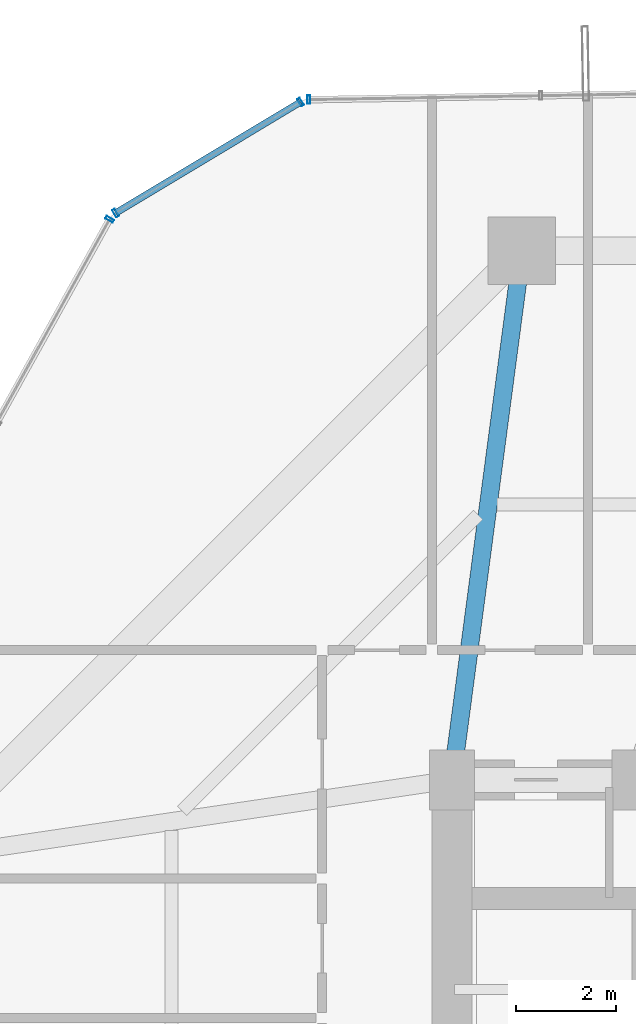
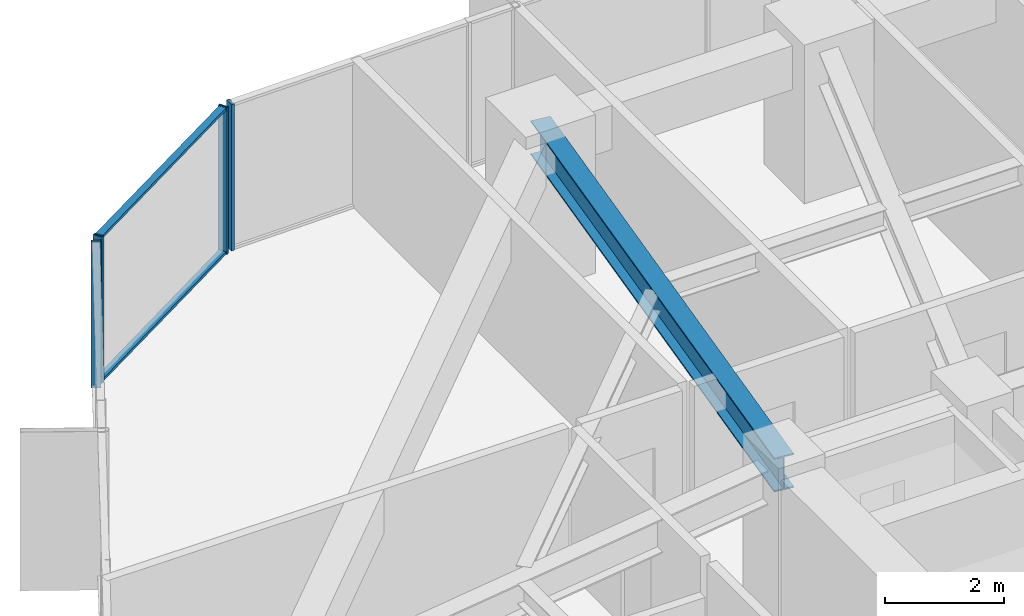
# One storey, part 25 of 39: 6 members, 1 beam, 3 elements without a shape of their own.
"""IFC4 building model written with IfcOpenShell, lengths in metres."""

import ifcopenshell
import ifcopenshell.guid

model = None  # the IFC model being written
_history = None  # IfcOwnerHistory: only IFC2X3 demands one
_inside = {}  # id of a spatial element -> (the spatial element, [elements in it])
_under = {}  # id of a project, library or spatial element -> (it, [spatial elements below it])
_declared = {}  # id of a project -> (the project, [libraries it declares])
_typed = {}  # id of a type object -> (the type object, [elements of that type])
_made_of = {}  # id of a material, layer set ... -> (it, [elements and type objects made of it])


def new_model(schema):
    """Start an empty IFC model of exactly this schema.

    Asked for "IFC4X3", IfcOpenShell would pick the latest addendum, in which some entities
    have other attributes; the version numbers below select the first issue.
    IFC2X3 requires an IfcOwnerHistory on every rooted entity: one is made here for all.
    """
    global model, _history
    if schema == "IFC4X3":
        model = ifcopenshell.file(schema_version=(4, 3, 0, 0))
    else:
        model = ifcopenshell.file(schema=schema)
    _inside.clear()
    _under.clear()
    _declared.clear()
    _typed.clear()
    _made_of.clear()
    _history = None
    if model.schema == "IFC2X3":
        org = make("IfcOrganization", Name="unknown")
        user = make(
            "IfcPersonAndOrganization",
            ThePerson=make("IfcPerson", FamilyName="unknown"),
            TheOrganization=org,
        )
        app = make(
            "IfcApplication",
            ApplicationDeveloper=org,
            Version="unknown",
            ApplicationFullName="unknown",
            ApplicationIdentifier="unknown",
        )
        _history = make(
            "IfcOwnerHistory",
            OwningUser=user,
            OwningApplication=app,
            ChangeAction="ADDED",
            CreationDate=0,
        )
    return model


def make(cls, **values):
    """One entity of the class cls with the attributes given. An attribute that is None is left unset."""
    return model.create_entity(
        cls, **{name: value for name, value in values.items() if value is not None}
    )


def rooted(cls, **values):
    """An entity with a GlobalId (a new one), such as an element, a storey or a relation."""
    return make(cls, GlobalId=ifcopenshell.guid.new(), OwnerHistory=_history, **values)


def si_unit(unit_type, name, prefix=None):
    """IfcSIUnit, for example si_unit("LENGTHUNIT", "METRE", prefix="MILLI")."""
    return make("IfcSIUnit", UnitType=unit_type, Prefix=prefix, Name=name)


def assignment(units):
    """IfcUnitAssignment: the units of a project."""
    return None if units is None else make("IfcUnitAssignment", Units=units)


def point(xyz):
    """IfcCartesianPoint."""
    return None if xyz is None else make("IfcCartesianPoint", Coordinates=xyz)


def direction(xyz):
    """IfcDirection."""
    return None if xyz is None else make("IfcDirection", DirectionRatios=xyz)


def frame(location, z_axis=None, x_axis=None):
    """IfcAxis2Placement3D, a coordinate frame: its origin and axes. An axis left out is left unset."""
    return make(
        "IfcAxis2Placement3D",
        Location=point(location),
        Axis=direction(z_axis),
        RefDirection=direction(x_axis),
    )


def frame_2d(location, x_axis=None):
    """IfcAxis2Placement2D, a coordinate frame in the plane: its origin and x axis."""
    return make(
        "IfcAxis2Placement2D", Location=point(location), RefDirection=direction(x_axis)
    )


def origin():
    """The frame at (0, 0, 0) with its axes left unset."""
    return frame((0.0, 0.0, 0.0))


def origin_2d():
    """The frame at (0, 0) in the plane with its x axis left unset."""
    return frame_2d((0.0, 0.0))


def place(relative_to, where):
    """IfcLocalPlacement: puts the frame where relative to a parent placement (None: the world)."""
    return make(
        "IfcLocalPlacement", PlacementRelTo=relative_to, RelativePlacement=where
    )


def context(
    kind, dimensions, precision=None, world=None, true_north=None, identifier=None
):
    """IfcGeometricRepresentationContext, for example the 3D "Model" context."""
    return make(
        "IfcGeometricRepresentationContext",
        ContextIdentifier=identifier,
        ContextType=kind,
        CoordinateSpaceDimension=dimensions,
        Precision=precision,
        WorldCoordinateSystem=world,
        TrueNorth=true_north,
    )


def subcontext(parent, identifier, kind, view, scale=None):
    """IfcGeometricRepresentationSubContext, for example "Body" below "Model"."""
    return make(
        "IfcGeometricRepresentationSubContext",
        ContextIdentifier=identifier,
        ContextType=kind,
        ParentContext=parent,
        TargetScale=scale,
        TargetView=view,
    )


def project(units=None, contexts=None):
    """IfcProject with its units and contexts."""
    return rooted(
        "IfcProject",
        Name="project",
        RepresentationContexts=contexts,
        UnitsInContext=assignment(units),
    )


def spatial(cls, under=None, at=None, **own):
    """A site, building, storey or space (cls), placed at a placement, below another one or the project."""
    s = rooted(cls, ObjectPlacement=at, **own)
    if under is not None:
        _under.setdefault(under.id(), (under, []))[1].append(s)
    return s


def profile(cls, at=None, kind="AREA", **sizes):
    """A parametric profile (cls). Its sizes go by their IFC names, for example OverallWidth=200.0."""
    return make(cls, ProfileType=kind, Position=at, **sizes)


def hollow_rectangle(**sizes):
    """IfcRectangleHollowProfileDef."""
    return profile("IfcRectangleHollowProfileDef", **sizes)


def i_section(**sizes):
    """IfcIShapeProfileDef."""
    return profile("IfcIShapeProfileDef", **sizes)


def extrude(swept, where, along, depth):
    """IfcExtrudedAreaSolid: the profile swept, set in the frame where, extruded along a direction by depth."""
    return make(
        "IfcExtrudedAreaSolid",
        SweptArea=swept,
        Position=where,
        ExtrudedDirection=direction(along),
        Depth=depth,
    )


def shape(context_of_items, identifier, shape_type, items):
    """IfcShapeRepresentation: the items that make up one representation, for example the "Body"."""
    return make(
        "IfcShapeRepresentation",
        ContextOfItems=context_of_items,
        RepresentationIdentifier=identifier,
        RepresentationType=shape_type,
        Items=items,
    )


def source(mapping_origin, context_of_items, identifier, shape_type, items):
    """IfcRepresentationMap: a shape defined once, which mapped items show again and again."""
    return make(
        "IfcRepresentationMap",
        MappingOrigin=mapping_origin,
        MappedRepresentation=shape(context_of_items, identifier, shape_type, items),
    )


def transform(
    local_origin,
    x_axis=None,
    y_axis=None,
    z_axis=None,
    scale=None,
    scale2=None,
    scale3=None,
    uniform=True,
):
    """IfcCartesianTransformationOperator3D, or its non-uniform kind. x_axis, y_axis, z_axis: its Axis1, 2, 3."""
    if uniform:
        return make(
            "IfcCartesianTransformationOperator3D",
            Axis1=direction(x_axis),
            Axis2=direction(y_axis),
            LocalOrigin=point(local_origin),
            Scale=scale,
            Axis3=direction(z_axis),
        )
    return make(
        "IfcCartesianTransformationOperator3DnonUniform",
        Axis1=direction(x_axis),
        Axis2=direction(y_axis),
        LocalOrigin=point(local_origin),
        Scale=scale,
        Axis3=direction(z_axis),
        Scale2=scale2,
        Scale3=scale3,
    )


def mapped(mapping_source, mapping_target):
    """IfcMappedItem: shows the shape of a source again, moved by a transform."""
    return make(
        "IfcMappedItem", MappingSource=mapping_source, MappingTarget=mapping_target
    )


def material(Name=None, Category=None):
    """IfcMaterial."""
    return make("IfcMaterial", Name=Name, Category=Category)


def layer(
    of_material, thickness, ventilated=None, Name=None, Category=None, Priority=None
):
    """IfcMaterialLayer: one layer of a wall or slab, of a material (None: an air gap)."""
    return make(
        "IfcMaterialLayer",
        Material=of_material,
        LayerThickness=thickness,
        IsVentilated=ventilated,
        Name=Name,
        Category=Category,
        Priority=Priority,
    )


def layer_set(layers, Name=None):
    """IfcMaterialLayerSet."""
    return make("IfcMaterialLayerSet", MaterialLayers=layers, LayerSetName=Name)


def material_profile(
    of_material, cross_section, Name=None, Category=None, Priority=None
):
    """IfcMaterialProfile: a cross section and its material."""
    return make(
        "IfcMaterialProfile",
        Name=Name,
        Material=of_material,
        Profile=cross_section,
        Priority=Priority,
        Category=Category,
    )


def profile_set(profiles, Name=None, composite=None):
    """IfcMaterialProfileSet."""
    return make(
        "IfcMaterialProfileSet",
        Name=Name,
        MaterialProfiles=profiles,
        CompositeProfile=composite,
    )


def made_of(thing, what):
    """Note that an element or type object is made of a material, layer set ...; save() writes the relation."""
    if what is not None:
        _made_of.setdefault(what.id(), (what, []))[1].append(thing)
    return thing


def type_object(cls, material=None, **own):
    """A type object (cls), such as IfcWallType, which elements share."""
    return made_of(rooted(cls, **own), material)


def element(
    cls,
    number,
    at=None,
    inside=None,
    cuts=None,
    type_object=None,
    material=None,
    context=None,
    identifier="Body",
    shape_type=None,
    held_by="IfcProductDefinitionShape",
    body=None,
    shapes=None,
    **own,
):
    """One element of the class cls, such as IfcWall. Its Tag is "e" and its number.

    at: its placement. inside: the storey or other place that contains it. cuts: it is an
    opening in that element (IfcRelVoidsElement). A single representation is given by context,
    identifier, shape_type and body (its items); several are given by shapes. held_by: the class
    of the entity that holds the representations. save() writes the other relations.
    """
    e = rooted(cls, Tag="e%d" % number, ObjectPlacement=at, **own)
    if body is not None:
        shapes = [shape(context, identifier, shape_type, body)]
    if shapes is not None:
        e.Representation = make(held_by, Representations=shapes)
    if inside is not None:
        _inside.setdefault(inside.id(), (inside, []))[1].append(e)
    if cuts is not None:
        rooted(
            "IfcRelVoidsElement", RelatingBuildingElement=cuts, RelatedOpeningElement=e
        )
    if type_object is not None:
        _typed.setdefault(type_object.id(), (type_object, []))[1].append(e)
    return made_of(e, material)


def aggregate(whole, parts):
    """IfcRelAggregates: a whole, such as a stair, and the parts it consists of."""
    return rooted("IfcRelAggregates", RelatingObject=whole, RelatedObjects=parts)


def save(model, path):
    """Write the relations noted so far, then the file.

    IfcRelAggregates (storeys below a building ...), IfcRelContainedInSpatialStructure (elements
    in a storey), IfcRelDefinesByType, IfcRelAssociatesMaterial and IfcRelDeclares: one each for
    every whole, place, type object, material and project.
    """
    for whole, parts in _under.values():
        aggregate(whole, parts)
    for where, things in _inside.values():
        rooted(
            "IfcRelContainedInSpatialStructure",
            RelatedElements=things,
            RelatingStructure=where,
        )
    for kind, things in _typed.values():
        rooted("IfcRelDefinesByType", RelatedObjects=things, RelatingType=kind)
    for what, things in _made_of.values():
        rooted("IfcRelAssociatesMaterial", RelatedObjects=things, RelatingMaterial=what)
    for by, libraries in _declared.values():
        rooted("IfcRelDeclares", RelatingContext=by, RelatedDefinitions=libraries)
    model.write(path)


model = new_model("IFC4")

# Units and contexts
model_context = context("Model", 3, precision=1e-05, world=origin(), true_north=direction((0.0, 1.0)))
body_context = subcontext(model_context, "Body", "Model", "MODEL_VIEW")
ifc_project = project(units=[si_unit("LENGTHUNIT", "METRE"), si_unit("AREAUNIT", "SQUARE_METRE"), si_unit("VOLUMEUNIT", "CUBIC_METRE"), si_unit("PLANEANGLEUNIT", "RADIAN"), si_unit("MASSUNIT", "GRAM", prefix="KILO")], contexts=[model_context])

# Site, building, storey
site_placement = place(None, origin())
site = spatial("IfcSite", under=ifc_project, at=site_placement, CompositionType="ELEMENT")
building_placement = place(site_placement, origin())
building = spatial("IfcBuilding", under=site, at=building_placement, Name="Veraguas Prism Commons", CompositionType="ELEMENT")
storey_placement = place(building_placement, frame((0.0, 0.0, 27.300048828125)))
storey = spatial("IfcBuildingStorey", under=building, at=storey_placement, Name="L06", CompositionType="ELEMENT", Elevation=27.300048828125)

# Beam
ifc_material_1 = material(Name="Steel ASTM A992 Grade 50", Category="steel")
ifc_material_profile_1 = material_profile(ifc_material_1, i_section(OverallWidth=0.35595703125, OverallDepth=0.700927734375, WebThickness=0.016845703125, FlangeThickness=0.02734375, at=origin_2d()), Name="W690X240")
ifc_profile_set_1 = profile_set([ifc_material_profile_1], Name="Steel ASTM A992 Grade 50")
beam_type = type_object("IfcBeamType", Name="Zone 1 Radial Girder W690x240", PredefinedType="BEAM", material=ifc_profile_set_1)
beam_placement = place(storey_placement, frame((18.60009765625, 41.60009765625, 2.6494140625), z_axis=(-0.130950648891, -0.991388888154, 0.0), x_axis=(0.991388888154, -0.130950648891, 0.0)))
element("IfcBeam", 1, at=beam_placement, inside=storey, type_object=beam_type, Name="Radial Floor Girder L06-RD06", PredefinedType="BEAM", context=body_context, shape_type="SweptSolid", body=[
    extrude(i_section(OverallWidth=0.35595703125, OverallDepth=0.700927734375, WebThickness=0.016845703125, FlangeThickness=0.02734375, at=origin_2d()), origin(), (0.0, 0.0, 1.0), 10.692138671875),
])

# Curtain wall, member
ifc_material_2 = material(Name="Anodised aluminium EN AW-6063 T6", Category="aluminium")
ifc_layer = layer(ifc_material_2, 0.169921875, Name="Unitised Flush Curtain Wall Zone 1", Category="aluminium")
ifc_layer_set = layer_set([ifc_layer], Name="Anodised aluminium EN AW-6063 T6")
curtain_wall_type = type_object("IfcCurtainWallType", Name="Unitised Flush Curtain Wall Zone 1", PredefinedType="NOTDEFINED", material=ifc_layer_set)
curtain_wall_1_placement = place(storey_placement, origin())
curtain_wall_1 = element("IfcCurtainWall", 2, at=curtain_wall_1_placement, inside=storey, type_object=curtain_wall_type, Name="Tower Facade Curtain Wall L06-F2", PredefinedType="NOTDEFINED")
ifc_material_profile_2 = material_profile(ifc_material_2, hollow_rectangle(XDim=0.06005859375, YDim=0.169921875, WallThickness=0.00390625, at=origin_2d()), Name="AL60X170X4")
ifc_profile_set_2 = profile_set([ifc_material_profile_2], Name="Anodised aluminium EN AW-6063 T6")
member_type_1 = type_object("IfcMemberType", Name="Curtain Wall Mullion Lower AL 60x170x4", PredefinedType="MULLION", material=ifc_profile_set_2)
shared_shape_1 = source(origin(), body_context, "Body", "SweptSolid", [
    extrude(hollow_rectangle(XDim=0.06005859375, YDim=0.169921875, WallThickness=0.00390625, at=origin_2d()), origin(), (0.0, 0.0, 1.0), 3.0),
])
member_1_placement = place(storey_placement, frame((14.333984375, 44.622314453125, 0.0), z_axis=(0.0, 0.0, 1.0), x_axis=(-0.999853696429, -0.017105137769, 0.0)))
member_1 = element("IfcMember", 3, at=member_1_placement, type_object=member_type_1, Name="CW-Z1 Mullion 5", PredefinedType="MULLION", context=body_context, shape_type="MappedRepresentation", body=[
    mapped(shared_shape_1, transform((0.0, 0.0, 0.0), scale=1.0)),
])
aggregate(curtain_wall_1, [member_1])

curtain_wall_2_placement = place(storey_placement, origin())
curtain_wall_2 = element("IfcCurtainWall", 4, at=curtain_wall_2_placement, inside=storey, type_object=curtain_wall_type, Name="Tower Facade Curtain Wall L06-F3", PredefinedType="NOTDEFINED")
member_2_placement = place(storey_placement, frame((10.34228515625, 42.2255859375, 0.0), z_axis=(0.0, 0.0, 1.0), x_axis=(-0.485116416779, -0.874449576689, 0.0)))
member_2 = element("IfcMember", 5, at=member_2_placement, type_object=member_type_1, Name="CW-Z1 Mullion 1", PredefinedType="MULLION", context=body_context, shape_type="MappedRepresentation", body=[
    mapped(shared_shape_1, transform((0.0, 0.0, 0.0), scale=1.0)),
])
aggregate(curtain_wall_2, [member_2])

# Curtain wall, members
curtain_wall_3_placement = place(storey_placement, origin())
curtain_wall_3 = element("IfcCurtainWall", 6, at=curtain_wall_3_placement, inside=storey, type_object=curtain_wall_type, Name="Chamfer Curtain Wall L06-C3", PredefinedType="NOTDEFINED")
member_3_placement = place(storey_placement, frame((14.1669921875, 44.574462890625, 0.0), z_axis=(0.0, 0.0, 1.0), x_axis=(-0.857349725835, -0.51473434664, 0.0)))
member_3 = element("IfcMember", 7, at=member_3_placement, type_object=member_type_1, Name="CW-Z1 Mullion 1", PredefinedType="MULLION", context=body_context, shape_type="MappedRepresentation", body=[
    mapped(shared_shape_1, transform((0.0, 0.0, 0.0), scale=1.0)),
])
member_4_placement = place(storey_placement, frame((10.463134765625, 42.350830078125, 0.0), z_axis=(0.0, 0.0, 1.0), x_axis=(-0.857349725835, -0.51473434664, 0.0)))
member_4 = element("IfcMember", 8, at=member_4_placement, type_object=member_type_1, Name="CW-Z1 Mullion 2", PredefinedType="MULLION", context=body_context, shape_type="MappedRepresentation", body=[
    mapped(shared_shape_1, transform((0.0, 0.0, 0.0), scale=1.0)),
])
ifc_material_profile_3 = material_profile(ifc_material_2, hollow_rectangle(XDim=0.054931640625, YDim=0.135009765625, WallThickness=0.0029296875, at=origin_2d()), Name="AL55X135X3")
ifc_profile_set_3 = profile_set([ifc_material_profile_3], Name="Anodised aluminium EN AW-6063 T6")
member_type_2 = type_object("IfcMemberType", Name="Curtain Wall Transom Standard AL 55x135x3", PredefinedType="USERDEFINED", material=ifc_profile_set_3)
shared_shape_2 = source(origin(), body_context, "Body", "SweptSolid", [
    extrude(hollow_rectangle(XDim=0.054931640625, YDim=0.135009765625, WallThickness=0.0029296875, at=origin_2d()), origin(), (0.0, 0.0, 1.0), 4.320068359375),
])
member_5_placement = place(storey_placement, frame((14.1669921875, 44.574462890625, 0.02734375), z_axis=(-0.857358262514, -0.514720127544, 0.0), x_axis=(0.0, 0.0, 1.0)))
member_5 = element("IfcMember", 9, at=member_5_placement, type_object=member_type_2, Name="CW-Z1 Transom 1", ObjectType="TRANSOM", PredefinedType="USERDEFINED", context=body_context, shape_type="MappedRepresentation", body=[
    mapped(shared_shape_2, transform((0.0, 0.0, 0.0), scale=1.0)),
])
member_6_placement = place(storey_placement, frame((14.1669921875, 44.574462890625, 2.972412109375), z_axis=(-0.857358262514, -0.514720127544, 0.0), x_axis=(0.0, 0.0, 1.0)))
member_6 = element("IfcMember", 10, at=member_6_placement, type_object=member_type_2, Name="CW-Z1 Transom 2", ObjectType="TRANSOM", PredefinedType="USERDEFINED", context=body_context, shape_type="MappedRepresentation", body=[
    mapped(shared_shape_2, transform((0.0, 0.0, 0.0), scale=1.0)),
])
aggregate(curtain_wall_3, [member_3, member_4, member_5, member_6])

save(model, "model.ifc")
